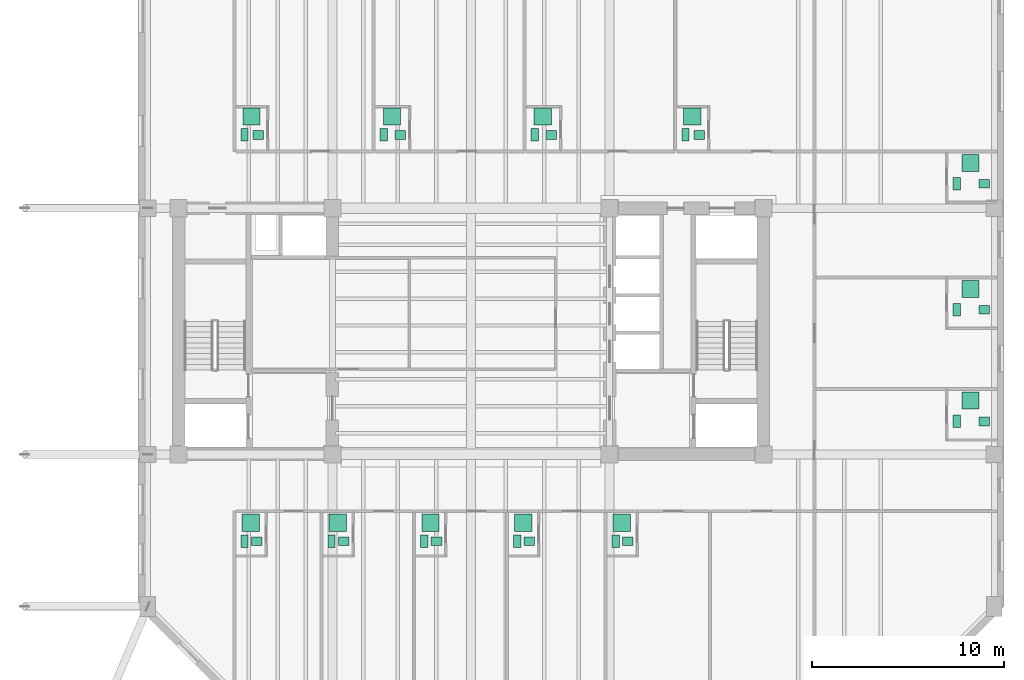
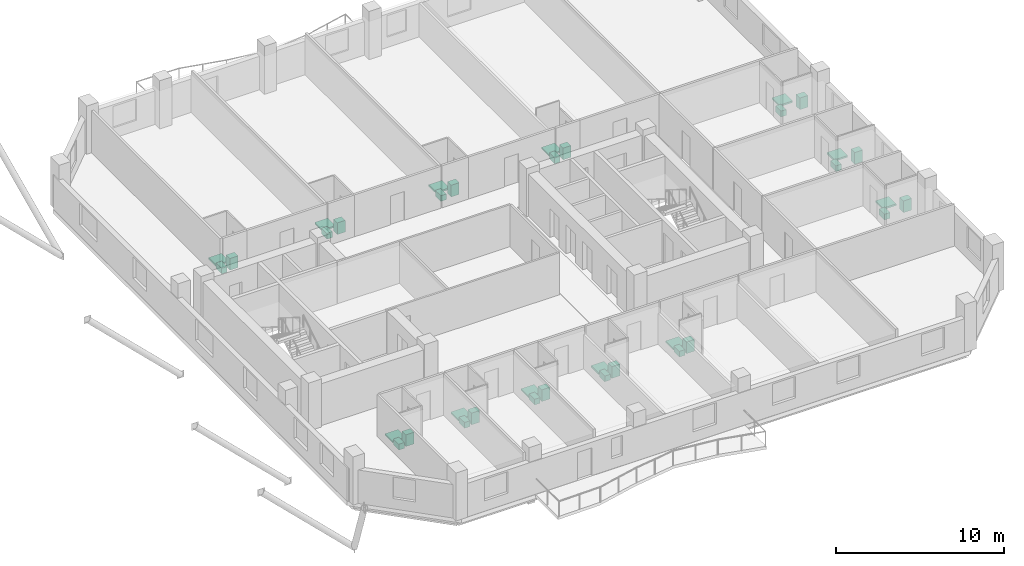
# One storey, part 13 of 13: 36 sanitary terminals.
"""IFC4 building model written with IfcOpenShell, lengths in metres."""

from ifc_helpers import new_model, si_unit, direction, frame, origin, origin_2d, place, context, subcontext, project, spatial, rectangle, extrude, material, type_object, element, save


model = new_model("IFC4")

# Units and contexts
model_context = context("Model", 3, precision=1e-05, world=origin(), true_north=direction((0.0, 1.0)))
body_context = subcontext(model_context, "Body", "Model", "MODEL_VIEW")
ifc_project = project(units=[si_unit("LENGTHUNIT", "METRE"), si_unit("AREAUNIT", "SQUARE_METRE"), si_unit("VOLUMEUNIT", "CUBIC_METRE"), si_unit("PLANEANGLEUNIT", "RADIAN"), si_unit("MASSUNIT", "GRAM", prefix="KILO")], contexts=[model_context])

# Site, building, storey
site_placement = place(None, origin())
site = spatial("IfcSite", under=ifc_project, at=site_placement, CompositionType="ELEMENT")
building_placement = place(site_placement, origin())
building = spatial("IfcBuilding", under=site, at=building_placement, Name="Kranthara Brick Stack", CompositionType="ELEMENT")
storey_placement = place(building_placement, frame((0.0, 0.0, 179.800048828125)))
storey = spatial("IfcBuildingStorey", under=building, at=storey_placement, Name="L46", CompositionType="ELEMENT", Elevation=179.800048828125)

# Sanitary terminals
ifc_material_1 = material(Name="Vitreous china sanitary porcelain", Category="other")
sanitary_terminal_type_1 = type_object("IfcSanitaryTerminalType", Name="SAN-BASIN", PredefinedType="WASHHANDBASIN", material=ifc_material_1)
for number, where, z_axis, x_axis, name in (
    (1, (16.860107421875, 16.294921875, 0.0), (0.0, 0.0, 1.0), (1.0, 0.0, 0.0), "L46 Washbasin 245"),
    (2, (21.383056640625, 16.294921875, 0.0), (0.0, 0.0, 1.0), (1.0, 0.0, 0.0), "L46 Washbasin 246"),
    (3, (26.20703125, 16.294921875, 0.0), (0.0, 0.0, 1.0), (1.0, 0.0, 0.0), "L46 Washbasin 247"),
    (4, (31.030029296875, 16.294921875, 0.0), (0.0, 0.0, 1.0), (1.0, 0.0, 0.0), "L46 Washbasin 248"),
    (5, (36.156005859375, 16.294921875, 0.0), (0.0, 0.0, 1.0), (1.0, 0.0, 0.0), "L46 Washbasin 249"),
    (6, (16.947021484375, 37.405029296875, 0.0), (0.0, 0.0, 1.0), (1.0, 0.0, 0.0), "L46 Washbasin 250"),
    (7, (24.326904296875, 37.405029296875, 0.0), (0.0, 0.0, 1.0), (1.0, 0.0, 0.0), "L46 Washbasin 251"),
    (8, (32.166015625, 37.405029296875, 0.0), (0.0, 0.0, 1.0), (1.0, 0.0, 0.0), "L46 Washbasin 252"),
    (9, (39.861083984375, 37.405029296875, 0.0), (0.0, 0.0, 1.0), (1.0, 0.0, 0.0), "L46 Washbasin 253"),
    (10, (54.679931640625, 22.514892578125, 0.0), (0.0, 0.0, 1.0), (1.0, 0.0, 0.0), "L46 Washbasin 254"),
    (11, (54.679931640625, 28.31494140625, 0.0), (0.0, 0.0, 1.0), (1.0, 0.0, 0.0), "L46 Washbasin 255"),
    (12, (54.679931640625, 34.864990234375, 0.0), (0.0, 0.0, 1.0), (1.0, 0.0, 0.0), "L46 Washbasin 256"),
):
    element("IfcSanitaryTerminal", number, at=place(storey_placement, frame(where, z_axis=z_axis, x_axis=x_axis)), inside=storey, type_object=sanitary_terminal_type_1, Name=name, PredefinedType="WASHHANDBASIN", context=body_context, shape_type="SweptSolid", body=[
        extrude(rectangle(XDim=0.550048828125, YDim=0.449951171875, at=origin_2d()), origin(), (0.0, 0.0, 1.0), 0.85009765625),
    ])
ifc_material_2 = material(Name="Acrylic and porcelain shower tray", Category="other")
sanitary_terminal_type_2 = type_object("IfcSanitaryTerminalType", Name="SAN-SHOWER", PredefinedType="SHOWER", material=ifc_material_2)
for number, where, z_axis, x_axis, name in (
    (13, (16.544921875, 17.25, 0.0), (0.0, 0.0, 1.0), (1.0, 0.0, 0.0), "L46 Shower Tray 245"),
    (14, (21.068115234375, 17.25, 0.0), (0.0, 0.0, 1.0), (1.0, 0.0, 0.0), "L46 Shower Tray 246"),
    (15, (25.89208984375, 17.25, 0.0), (0.0, 0.0, 1.0), (1.0, 0.0, 0.0), "L46 Shower Tray 247"),
    (16, (30.715087890625, 17.25, 0.0), (0.0, 0.0, 1.0), (1.0, 0.0, 0.0), "L46 Shower Tray 248"),
    (17, (35.841064453125, 17.25, 0.0), (0.0, 0.0, 1.0), (1.0, 0.0, 0.0), "L46 Shower Tray 249"),
    (18, (16.587890625, 38.360107421875, 0.0), (0.0, 0.0, 1.0), (1.0, 0.0, 0.0), "L46 Shower Tray 250"),
    (19, (23.89697265625, 38.360107421875, 0.0), (0.0, 0.0, 1.0), (1.0, 0.0, 0.0), "L46 Shower Tray 251"),
    (20, (31.736083984375, 38.360107421875, 0.0), (0.0, 0.0, 1.0), (1.0, 0.0, 0.0), "L46 Shower Tray 252"),
    (21, (39.501953125, 38.360107421875, 0.0), (0.0, 0.0, 1.0), (1.0, 0.0, 0.0), "L46 Shower Tray 253"),
    (22, (53.9599609375, 23.60009765625, 0.0), (0.0, 0.0, 1.0), (1.0, 0.0, 0.0), "L46 Shower Tray 254"),
    (23, (53.9599609375, 29.39990234375, 0.0), (0.0, 0.0, 1.0), (1.0, 0.0, 0.0), "L46 Shower Tray 255"),
    (24, (53.9599609375, 35.949951171875, 0.0), (0.0, 0.0, 1.0), (1.0, 0.0, 0.0), "L46 Shower Tray 256"),
):
    element("IfcSanitaryTerminal", number, at=place(storey_placement, frame(where, z_axis=z_axis, x_axis=x_axis)), inside=storey, type_object=sanitary_terminal_type_2, Name=name, PredefinedType="SHOWER", context=body_context, shape_type="SweptSolid", body=[
        extrude(rectangle(XDim=0.89990234375, YDim=0.89990234375, at=origin_2d()), origin(), (0.0, 0.0, 1.0), 0.1201171875),
    ])
ifc_material_3 = material(Name="Vitreous china sanitary porcelain", Category="other")
sanitary_terminal_type_3 = type_object("IfcSanitaryTerminalType", Name="SAN-WC-PAN", PredefinedType="TOILETPAN", material=ifc_material_3)
for number, where, z_axis, x_axis, name in (
    (25, (16.22998046875, 16.294921875, 0.0), (0.0, 0.0, 1.0), (1.0, 0.0, 0.0), "L46 WC Pan 245"),
    (26, (20.7529296875, 16.294921875, 0.0), (0.0, 0.0, 1.0), (1.0, 0.0, 0.0), "L46 WC Pan 246"),
    (27, (25.576904296875, 16.294921875, 0.0), (0.0, 0.0, 1.0), (1.0, 0.0, 0.0), "L46 WC Pan 247"),
    (28, (30.39990234375, 16.294921875, 0.0), (0.0, 0.0, 1.0), (1.0, 0.0, 0.0), "L46 WC Pan 248"),
    (29, (35.52587890625, 16.294921875, 0.0), (0.0, 0.0, 1.0), (1.0, 0.0, 0.0), "L46 WC Pan 249"),
    (30, (16.22998046875, 37.405029296875, 0.0), (0.0, 0.0, 1.0), (1.0, 0.0, 0.0), "L46 WC Pan 250"),
    (31, (23.466064453125, 37.405029296875, 0.0), (0.0, 0.0, 1.0), (1.0, 0.0, 0.0), "L46 WC Pan 251"),
    (32, (31.304931640625, 37.405029296875, 0.0), (0.0, 0.0, 1.0), (1.0, 0.0, 0.0), "L46 WC Pan 252"),
    (33, (39.14404296875, 37.405029296875, 0.0), (0.0, 0.0, 1.0), (1.0, 0.0, 0.0), "L46 WC Pan 253"),
    (34, (53.239990234375, 22.514892578125, 0.0), (0.0, 0.0, 1.0), (1.0, 0.0, 0.0), "L46 WC Pan 254"),
    (35, (53.239990234375, 28.31494140625, 0.0), (0.0, 0.0, 1.0), (1.0, 0.0, 0.0), "L46 WC Pan 255"),
    (36, (53.239990234375, 34.864990234375, 0.0), (0.0, 0.0, 1.0), (1.0, 0.0, 0.0), "L46 WC Pan 256"),
):
    element("IfcSanitaryTerminal", number, at=place(storey_placement, frame(where, z_axis=z_axis, x_axis=x_axis)), inside=storey, type_object=sanitary_terminal_type_3, Name=name, PredefinedType="TOILETPAN", context=body_context, shape_type="SweptSolid", body=[
        extrude(rectangle(XDim=0.3798828125, YDim=0.64990234375, at=origin_2d()), origin(), (0.0, 0.0, 1.0), 0.419921875),
    ])

save(model, "model.ifc")
